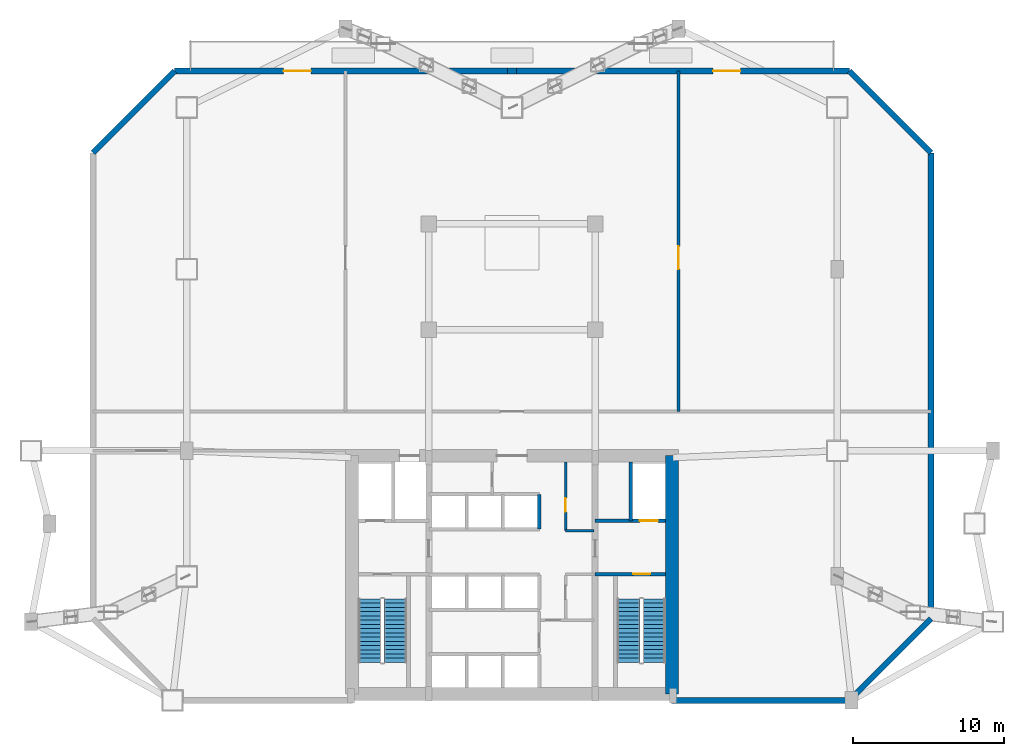
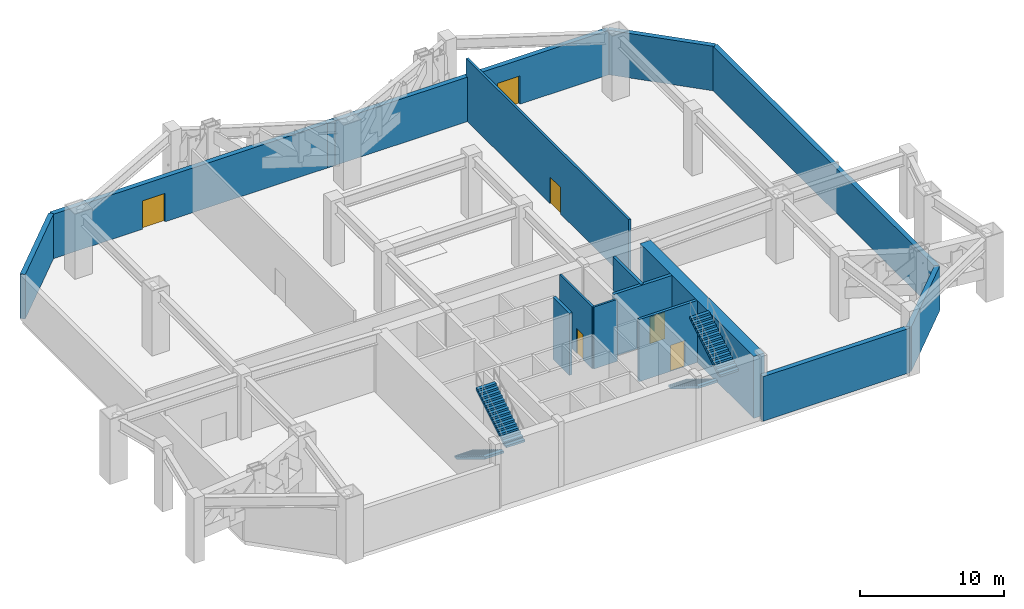
# One storey, part 7 of 9: 16 walls, 6 doors, 4 stair flights, 6 openings, 2 elements without a shape of their own.
"""IFC4 building model written with IfcOpenShell, lengths in metres."""

from ifc_helpers import new_model, si_unit, direction, frame, frame_2d, origin, place, context, subcontext, project, spatial, polyline, rectangle, outline, extrude, source, transform, mapped, material, layer, layer_set, type_object, type_shapes, element, fill, aggregate, save


model = new_model("IFC4")

# Units and contexts
model_context = context("Model", 3, precision=1e-05, world=origin(), true_north=direction((0.0, 1.0)))
body_context = subcontext(model_context, "Body", "Model", "MODEL_VIEW")
ifc_project = project(units=[si_unit("LENGTHUNIT", "METRE"), si_unit("AREAUNIT", "SQUARE_METRE"), si_unit("VOLUMEUNIT", "CUBIC_METRE"), si_unit("PLANEANGLEUNIT", "RADIAN"), si_unit("MASSUNIT", "GRAM", prefix="KILO")], contexts=[model_context])

# Site, building, storey
site_placement = place(None, origin())
site = spatial("IfcSite", under=ifc_project, at=site_placement, CompositionType="ELEMENT")
building_placement = place(site_placement, origin())
building = spatial("IfcBuilding", under=site, at=building_placement, Name="Varnakhor Terracotta Tower", CompositionType="ELEMENT")
storey_placement = place(building_placement, frame((0.0, 0.0, 22.0)))
storey = spatial("IfcBuildingStorey", under=building, at=storey_placement, Name="L04", CompositionType="ELEMENT", Elevation=22.0)

# Wall
ifc_material_1 = material(Name="Concrete C60/75", Category="concrete")
ifc_layer_1 = layer(ifc_material_1, 0.85009765625, Name="Concrete C60/75")
ifc_layer_set_1 = layer_set([ifc_layer_1], Name="Concrete C60/75")
wall_type_1 = type_object("IfcWallType", Name="WAL-CORE-850", PredefinedType="SHEAR", material=ifc_layer_set_1)
wall_1_placement = place(storey_placement, frame((10.574951171875, 0.425048828125, 0.0), z_axis=(0.0, 0.0, 1.0), x_axis=(0.0, 1.0, 0.0)))
element("IfcWall", 1, at=wall_1_placement, inside=storey, type_object=wall_type_1, Name="L04 East Core Shear Wall", PredefinedType="SHEAR", context=body_context, shape_type="SweptSolid", body=[
    extrude(rectangle(XDim=15.75, YDim=0.85009765625, at=frame_2d((7.875, 0.0))), origin(), (0.0, 0.0, 1.0), 5.25),
])

# Wall, opening, door
ifc_material_2 = material(Name="Fire-Rated Gypsum Stud Partition", Category="gypsum")
ifc_layer_2 = layer(ifc_material_2, 0.18505859375, Name="Fire-Rated Gypsum Stud Partition")
ifc_layer_set_2 = layer_set([ifc_layer_2], Name="Fire-Rated Gypsum Stud Partition")
wall_type_2 = type_object("IfcWallType", Name="WAL-CORR-185", PredefinedType="PARTITIONING", material=ifc_layer_set_2)
wall_2_placement = place(storey_placement, frame((11.0, 19.10009765625, 0.0), z_axis=(0.0, 0.0, 1.0), x_axis=(0.0, 1.0, 0.0)))
wall_2 = element("IfcWall", 2, at=wall_2_placement, inside=storey, type_object=wall_type_2, Name="L04 East Plant Division Wall", PredefinedType="PARTITIONING", context=body_context, shape_type="SweptSolid", body=[
    extrude(rectangle(XDim=22.489990234375, YDim=0.18505859375, at=frame_2d((11.2451171875, 0.0))), origin(), (0.0, 0.0, 1.0), 5.241943359375),
])
opening_1_placement = place(wall_2_placement, frame((9.404541015625, 0.0, 0.0)))
opening_1 = element("IfcOpeningElement", 3, at=opening_1_placement, cuts=wall_2, Name="Opening DR-30", PredefinedType="OPENING", context=body_context, shape_type="SweptSolid", body=[
    extrude(rectangle(XDim=1.5, YDim=2.25, at=frame_2d((0.75, 1.125))), frame((0.0, 0.1025390625, 0.0), z_axis=(0.0, -1.0, 0.0), x_axis=(1.0, 0.0, 0.0)), (0.0, 0.0, 1.0), 0.205078125),
])
ifc_material_3 = material(Name="Double Acoustic Conference Room Door", Category="wood")
door_type_1 = type_object("IfcDoorType", Name="DR-MEET-1500X2250", OperationType="NOTDEFINED", PredefinedType="DOOR", material=ifc_material_3)
shared_shape_1 = source(origin(), body_context, "Body", "SweptSolid", [
    extrude(rectangle(XDim=1.5, YDim=2.25, at=frame_2d((0.75, 1.125))), frame((0.0, 0.02490234375, 0.0), z_axis=(0.0, -1.0, 0.0), x_axis=(1.0, 0.0, 0.0)), (0.0, 0.0, 1.0), 0.050048828125),
])
type_shapes(door_type_1, [shared_shape_1])
door_1_placement = place(opening_1_placement, origin())
door_1 = element("IfcDoor", 4, at=door_1_placement, inside=storey, type_object=door_type_1, Name="L04 Switchgear Room Door", OperationType="DOUBLE_DOOR_SINGLE_SWING", OverallHeight=2.25, OverallWidth=1.5, PredefinedType="DOOR", context=body_context, shape_type="MappedRepresentation", body=[
    mapped(shared_shape_1, transform((0.0, 0.0, 0.0), scale=1.0)),
])
fill(opening_1, door_1)

# Walls
ifc_material_4 = material(Name="Honed Riyadh Limestone Assembly", Category="masonry")
ifc_layer_3 = layer(ifc_material_4, 0.3798828125, Name="Honed Riyadh Limestone Assembly")
ifc_layer_set_3 = layer_set([ifc_layer_3], Name="Honed Riyadh Limestone Assembly")
wall_type_3 = type_object("IfcWallType", Name="WAL-EXT-LIMESTONE-380", PredefinedType="SOLIDWALL", material=ifc_layer_set_3)
wall_3_placement = place(storey_placement, frame((-27.699951171875, 36.199951171875, 0.0), z_axis=(0.0, 0.0, 1.0), x_axis=(0.707090796496, 0.707122765516, 0.0)))
element("IfcWall", 5, at=wall_3_placement, inside=storey, type_object=wall_type_3, Name="L04 Podium Chamfer Limestone Wall 2", PredefinedType="SOLIDWALL", context=body_context, shape_type="SweptSolid", body=[
    extrude(rectangle(XDim=7.63671875, YDim=0.3798828125, at=frame_2d((3.818359375, 0.0))), origin(), (0.0, 0.0, 1.0), 3.77001953125),
])
wall_4_placement = place(storey_placement, frame((-0.300048828125, 41.60009765625, 0.0), z_axis=(0.0, 0.0, 1.0), x_axis=(1.0, 0.0, 0.0)))
element("IfcWall", 6, at=wall_4_placement, inside=storey, type_object=wall_type_3, Name="L04 North Central Stone Pier", PredefinedType="SOLIDWALL", context=body_context, shape_type="SweptSolid", body=[
    extrude(rectangle(XDim=0.60009765625, YDim=0.3798828125, at=frame_2d((0.300048828125, 0.0))), origin(), (0.0, 0.0, 1.0), 3.77001953125),
])

# Wall, opening, door
wall_5_placement = place(storey_placement, frame((-22.300048828125, 41.60009765625, 0.0), z_axis=(0.0, 0.0, 1.0), x_axis=(1.0, 0.0, 0.0)))
wall_5 = element("IfcWall", 7, at=wall_5_placement, inside=storey, type_object=wall_type_3, Name="L04 North Podium Wall NW", PredefinedType="SOLIDWALL", context=body_context, shape_type="SweptSolid", body=[
    extrude(rectangle(XDim=22.0, YDim=0.3798828125, at=frame_2d((11.0, 0.0))), origin(), (0.0, 0.0, 1.0), 3.77001953125),
])
opening_2_placement = place(wall_5_placement, frame((7.199951171875, 0.0, 0.0)))
opening_2 = element("IfcOpeningElement", 8, at=opening_2_placement, cuts=wall_5, Name="Opening DR-18", PredefinedType="OPENING", context=body_context, shape_type="SweptSolid", body=[
    extrude(rectangle(XDim=1.800048828125, YDim=2.39990234375, at=frame_2d((0.89990234375, 1.199951171875))), frame((0.0, 0.199951171875, 0.0), z_axis=(0.0, -1.0, 0.0), x_axis=(1.0, 0.0, 0.0)), (0.0, 0.0, 1.0), 0.39990234375),
])
ifc_material_5 = material(Name="Weather-Sealed Low-E Double Terrace Door", Category="aluminium")
door_type_2 = type_object("IfcDoorType", Name="DR-EXT-TERR-1800X2400", OperationType="NOTDEFINED", PredefinedType="DOOR", material=ifc_material_5)
shared_shape_2 = source(origin(), body_context, "Body", "SweptSolid", [
    extrude(rectangle(XDim=1.800048828125, YDim=2.39990234375, at=frame_2d((0.89990234375, 1.199951171875))), frame((0.0, 0.02490234375, 0.0), z_axis=(0.0, -1.0, 0.0), x_axis=(1.0, 0.0, 0.0)), (0.0, 0.0, 1.0), 0.050048828125),
])
type_shapes(door_type_2, [shared_shape_2])
door_2_placement = place(opening_2_placement, origin())
door_2 = element("IfcDoor", 9, at=door_2_placement, inside=storey, type_object=door_type_2, Name="L04 Garden Terrace Access Door NW", OperationType="DOUBLE_DOOR_SINGLE_SWING", OverallHeight=2.39990234375, OverallWidth=1.800048828125, PredefinedType="DOOR", context=body_context, shape_type="MappedRepresentation", body=[
    mapped(shared_shape_2, transform((0.0, 0.0, 0.0), scale=1.0)),
])
fill(opening_2, door_2)

wall_6_placement = place(storey_placement, frame((0.300048828125, 41.60009765625, 0.0), z_axis=(0.0, 0.0, 1.0), x_axis=(1.0, 0.0, 0.0)))
wall_6 = element("IfcWall", 10, at=wall_6_placement, inside=storey, type_object=wall_type_3, Name="L04 North Podium Wall NE", PredefinedType="SOLIDWALL", context=body_context, shape_type="SweptSolid", body=[
    extrude(rectangle(XDim=22.0, YDim=0.3798828125, at=frame_2d((11.0, 0.0))), origin(), (0.0, 0.0, 1.0), 3.77001953125),
])
opening_3_placement = place(wall_6_placement, frame((13.0, 0.0, 0.0)))
opening_3 = element("IfcOpeningElement", 11, at=opening_3_placement, cuts=wall_6, Name="Opening DR-18", PredefinedType="OPENING", context=body_context, shape_type="SweptSolid", body=[
    extrude(rectangle(XDim=1.800048828125, YDim=2.39990234375, at=frame_2d((0.89990234375, 1.199951171875))), frame((0.0, 0.199951171875, 0.0), z_axis=(0.0, -1.0, 0.0), x_axis=(1.0, 0.0, 0.0)), (0.0, 0.0, 1.0), 0.39990234375),
])
door_3_placement = place(opening_3_placement, origin())
door_3 = element("IfcDoor", 12, at=door_3_placement, inside=storey, type_object=door_type_2, Name="L04 Garden Terrace Access Door NE", OperationType="DOUBLE_DOOR_SINGLE_SWING", OverallHeight=2.39990234375, OverallWidth=1.800048828125, PredefinedType="DOOR", context=body_context, shape_type="MappedRepresentation", body=[
    mapped(shared_shape_2, transform((0.0, 0.0, 0.0), scale=1.0)),
])
fill(opening_3, door_3)

# Walls
wall_7_placement = place(storey_placement, frame((22.300048828125, 41.60009765625, 0.0), z_axis=(0.0, 0.0, 1.0), x_axis=(0.707090796496, -0.707122765516, 0.0)))
element("IfcWall", 13, at=wall_7_placement, inside=storey, type_object=wall_type_3, Name="L04 Podium Chamfer Limestone Wall 4", PredefinedType="SOLIDWALL", context=body_context, shape_type="SweptSolid", body=[
    extrude(rectangle(XDim=7.63671875, YDim=0.3798828125, at=frame_2d((3.818359375, 0.0))), origin(), (0.0, 0.0, 1.0), 3.77001953125),
])
wall_8_placement = place(storey_placement, frame((27.699951171875, 36.199951171875, 0.0), z_axis=(0.0, 0.0, 1.0), x_axis=(0.0, -1.0, 0.0)))
element("IfcWall", 14, at=wall_8_placement, inside=storey, type_object=wall_type_3, Name="L04 Podium Side Limestone Wall 5", PredefinedType="SOLIDWALL", context=body_context, shape_type="SweptSolid", body=[
    extrude(rectangle(XDim=30.800048828125, YDim=0.3798828125, at=frame_2d((15.39990234375, 0.0))), origin(), (0.0, 0.0, 1.0), 3.77001953125),
])
wall_9_placement = place(storey_placement, frame((27.699951171875, 5.39990234375, 0.0), z_axis=(0.0, 0.0, 1.0), x_axis=(-0.707106781187, -0.707106781187, 0.0)))
element("IfcWall", 15, at=wall_9_placement, inside=storey, type_object=wall_type_3, Name="L04 Podium Chamfer Limestone Wall 6", PredefinedType="SOLIDWALL", context=body_context, shape_type="SweptSolid", body=[
    extrude(rectangle(XDim=7.63671875, YDim=0.3798828125, at=frame_2d((3.818359375, 0.0))), origin(), (0.0, 0.0, 1.0), 3.77001953125),
])
wall_10_placement = place(storey_placement, frame((22.300048828125, 0.0, 0.0), z_axis=(0.0, 0.0, 1.0), x_axis=(-1.0, 0.0, 0.0)))
element("IfcWall", 16, at=wall_10_placement, inside=storey, type_object=wall_type_3, Name="L04 Limestone Podium Wall SE", PredefinedType="SOLIDWALL", context=body_context, shape_type="SweptSolid", body=[
    extrude(rectangle(XDim=11.75, YDim=0.3798828125, at=frame_2d((5.875, 0.0))), origin(), (0.0, 0.0, 1.0), 3.77001953125),
])

# Wall, opening, door
ifc_material_6 = material(Name="Concrete C40/50", Category="concrete")
ifc_layer_4 = layer(ifc_material_6, 0.219970703125, Name="Concrete C40/50")
ifc_layer_set_4 = layer_set([ifc_layer_4], Name="Concrete C40/50")
wall_type_4 = type_object("IfcWallType", Name="WAL-FFLOBBY-220", PredefinedType="SOLIDWALL", material=ifc_layer_set_4)
wall_11_placement = place(storey_placement, frame((10.14990234375, 8.35009765625, 0.0), z_axis=(0.0, 0.0, 1.0), x_axis=(-1.0, 0.0, 0.0)))
wall_11 = element("IfcWall", 17, at=wall_11_placement, inside=storey, type_object=wall_type_4, Name="L04 East Firefighting Lobby Stair Wall", PredefinedType="SOLIDWALL", context=body_context, shape_type="SweptSolid", body=[
    extrude(rectangle(XDim=4.64990234375, YDim=0.219970703125, at=frame_2d((2.324951171875, 0.0))), origin(), (0.0, 0.0, 1.0), 5.25),
])
opening_4_placement = place(wall_11_placement, frame((1.0, 0.0, 0.0)))
opening_4 = element("IfcOpeningElement", 18, at=opening_4_placement, cuts=wall_11, Name="Opening DR-34", PredefinedType="OPENING", context=body_context, shape_type="SweptSolid", body=[
    extrude(rectangle(XDim=1.14990234375, YDim=2.199951171875, at=frame_2d((0.574951171875, 1.10009765625))), frame((0.0, 0.1201171875, 0.0), z_axis=(0.0, -1.0, 0.0), x_axis=(1.0, 0.0, 0.0)), (0.0, 0.0, 1.0), 0.239990234375),
])
ifc_material_7 = material(Name="Self-Closing Smoke-Sealed Steel Fire Door", Category="steel")
door_type_3 = type_object("IfcDoorType", Name="DR-STAIR-1150X2200", OperationType="NOTDEFINED", PredefinedType="DOOR", material=ifc_material_7)
shared_shape_3 = source(origin(), body_context, "Body", "SweptSolid", [
    extrude(rectangle(XDim=1.14990234375, YDim=2.199951171875, at=frame_2d((0.574951171875, 1.10009765625))), frame((0.0, 0.02490234375, 0.0), z_axis=(0.0, -1.0, 0.0), x_axis=(1.0, 0.0, 0.0)), (0.0, 0.0, 1.0), 0.050048828125),
])
type_shapes(door_type_3, [shared_shape_3])
door_4_placement = place(opening_4_placement, origin())
door_4 = element("IfcDoor", 19, at=door_4_placement, inside=storey, type_object=door_type_3, Name="L04 Exit Stair ST-2 Fire Door", OperationType="SINGLE_SWING_LEFT", OverallHeight=2.199951171875, OverallWidth=1.14990234375, PredefinedType="DOOR", context=body_context, shape_type="MappedRepresentation", body=[
    mapped(shared_shape_3, transform((0.0, 0.0, 0.0), scale=1.0)),
])
fill(opening_4, door_4)

# Walls
ifc_layer_5 = layer(ifc_material_6, 0.219970703125, Name="Concrete C40/50")
ifc_layer_set_5 = layer_set([ifc_layer_5], Name="Concrete C40/50")
wall_type_5 = type_object("IfcWallType", Name="WAL-SHAFT-220", PredefinedType="SOLIDWALL", material=ifc_layer_set_5)
wall_12_placement = place(storey_placement, frame((7.840087890625, 11.8701171875, 0.0), z_axis=(0.0, 0.0, 1.0), x_axis=(0.0, 1.0, 0.0)))
element("IfcWall", 20, at=wall_12_placement, inside=storey, type_object=wall_type_5, Name="L04 Lift FFL-2 and Riser Divider Wall", PredefinedType="SOLIDWALL", context=body_context, shape_type="SweptSolid", body=[
    extrude(rectangle(XDim=3.8798828125, YDim=0.219970703125, at=frame_2d((1.93994140625, 0.0))), origin(), (0.0, 0.0, 1.0), 5.25),
])
wall_13_placement = place(storey_placement, frame((1.800048828125, 11.320068359375, 0.0), z_axis=(0.0, 0.0, 1.0), x_axis=(0.0, 1.0, 0.0)))
element("IfcWall", 21, at=wall_13_placement, inside=storey, type_object=wall_type_5, Name="L04 Bank 3 East Shaft Wall", PredefinedType="SOLIDWALL", context=body_context, shape_type="SweptSolid", body=[
    extrude(rectangle(XDim=2.300048828125, YDim=0.219970703125, at=frame_2d((1.14990234375, 0.0))), origin(), (0.0, 0.0, 1.0), 5.25),
])

# Wall, opening, door
ifc_layer_6 = layer(ifc_material_6, 0.25, Name="Concrete C40/50")
ifc_layer_set_6 = layer_set([ifc_layer_6], Name="Concrete C40/50")
wall_type_6 = type_object("IfcWallType", Name="WAL-SHAFT-250", PredefinedType="SOLIDWALL", material=ifc_layer_set_6)
wall_14_placement = place(storey_placement, frame((10.14990234375, 11.8701171875, 0.0), z_axis=(0.0, 0.0, 1.0), x_axis=(-1.0, 0.0, 0.0)))
wall_14 = element("IfcWall", 22, at=wall_14_placement, inside=storey, type_object=wall_type_6, Name="L04 Lift FFL-2 Shaft Front Wall", PredefinedType="SOLIDWALL", context=body_context, shape_type="SweptSolid", body=[
    extrude(rectangle(XDim=4.64990234375, YDim=0.25, at=frame_2d((2.324951171875, 0.0))), origin(), (0.0, 0.0, 1.0), 5.25),
])
opening_5_placement = place(wall_14_placement, frame((0.5, 0.0, 0.0)))
opening_5 = element("IfcOpeningElement", 23, at=opening_5_placement, cuts=wall_14, Name="Opening LD-02", PredefinedType="OPENING", context=body_context, shape_type="SweptSolid", body=[
    extrude(rectangle(XDim=1.199951171875, YDim=2.25, at=frame_2d((0.60009765625, 1.125))), frame((0.0, 0.135009765625, 0.0), z_axis=(0.0, -1.0, 0.0), x_axis=(1.0, 0.0, 0.0)), (0.0, 0.0, 1.0), 0.27001953125),
])
ifc_material_8 = material(Name="Firefighting Stretcher Sliding Lift Landing Door", Category="steel")
door_type_4 = type_object("IfcDoorType", Name="LD-FFL-1200X2250", OperationType="NOTDEFINED", PredefinedType="DOOR", material=ifc_material_8)
shared_shape_4 = source(origin(), body_context, "Body", "SweptSolid", [
    extrude(rectangle(XDim=1.199951171875, YDim=2.25, at=frame_2d((0.60009765625, 1.125))), frame((0.0, 0.02490234375, 0.0), z_axis=(0.0, -1.0, 0.0), x_axis=(1.0, 0.0, 0.0)), (0.0, 0.0, 1.0), 0.050048828125),
])
type_shapes(door_type_4, [shared_shape_4])
door_5_placement = place(opening_5_placement, origin())
door_5 = element("IfcDoor", 24, at=door_5_placement, inside=storey, type_object=door_type_4, Name="L04 Firefighting Lift FFL-2 Landing Door", OperationType="SLIDING_TO_RIGHT", OverallHeight=2.25, OverallWidth=1.199951171875, PredefinedType="DOOR", context=body_context, shape_type="MappedRepresentation", body=[
    mapped(shared_shape_4, transform((0.0, 0.0, 0.0), scale=1.0)),
])
fill(opening_5, door_5)

ifc_material_9 = material(Name="Acoustic Fire-Rated Partition", Category="gypsum")
ifc_layer_7 = layer(ifc_material_9, 0.1650390625, Name="Acoustic Fire-Rated Partition")
ifc_layer_set_7 = layer_set([ifc_layer_7], Name="Acoustic Fire-Rated Partition")
wall_type_7 = type_object("IfcWallType", Name="WAL-TENANCY-165", PredefinedType="PARTITIONING", material=ifc_layer_set_7)
wall_15_placement = place(storey_placement, frame((3.5400390625, 11.219970703125, 0.0), z_axis=(0.0, 0.0, 1.0), x_axis=(0.0, 1.0, 0.0)))
wall_15 = element("IfcWall", 25, at=wall_15_placement, inside=storey, type_object=wall_type_7, Name="L04 Restroom Corridor Wall", PredefinedType="PARTITIONING", context=body_context, shape_type="SweptSolid", body=[
    extrude(rectangle(XDim=4.530029296875, YDim=0.1650390625, at=frame_2d((2.26513671875, 0.0))), origin(), (0.0, 0.0, 1.0), 5.241943359375),
])
opening_6_placement = place(wall_15_placement, frame((1.25, 0.0, 0.0)))
opening_6 = element("IfcOpeningElement", 26, at=opening_6_placement, cuts=wall_15, Name="Opening DR-67", PredefinedType="OPENING", context=body_context, shape_type="SweptSolid", body=[
    extrude(rectangle(XDim=0.89990234375, YDim=2.10009765625, at=frame_2d((0.449951171875, 1.050048828125))), frame((0.0, 0.092529296875, 0.0), z_axis=(0.0, -1.0, 0.0), x_axis=(1.0, 0.0, 0.0)), (0.0, 0.0, 1.0), 0.18505859375),
])
ifc_material_10 = material(Name="Steel Service Riser Fire Door", Category="steel")
door_type_5 = type_object("IfcDoorType", Name="DR-RISER-900X2100", OperationType="NOTDEFINED", PredefinedType="DOOR", material=ifc_material_10)
shared_shape_5 = source(origin(), body_context, "Body", "SweptSolid", [
    extrude(rectangle(XDim=0.89990234375, YDim=2.10009765625, at=frame_2d((0.449951171875, 1.050048828125))), frame((0.0, 0.02490234375, 0.0), z_axis=(0.0, -1.0, 0.0), x_axis=(1.0, 0.0, 0.0)), (0.0, 0.0, 1.0), 0.050048828125),
])
type_shapes(door_type_5, [shared_shape_5])
door_6_placement = place(opening_6_placement, origin())
door_6 = element("IfcDoor", 27, at=door_6_placement, inside=storey, type_object=door_type_5, Name="L04 Female WC Door", OperationType="SINGLE_SWING_LEFT", OverallHeight=2.10009765625, OverallWidth=0.89990234375, PredefinedType="DOOR", context=body_context, shape_type="MappedRepresentation", body=[
    mapped(shared_shape_5, transform((0.0, 0.0, 0.0), scale=1.0)),
])
fill(opening_6, door_6)

# Wall
wall_16_placement = place(storey_placement, frame((3.5400390625, 11.219970703125, 0.0), z_axis=(0.0, 0.0, 1.0), x_axis=(1.0, 0.0, 0.0)))
element("IfcWall", 28, at=wall_16_placement, inside=storey, type_object=wall_type_7, Name="L04 Restroom South Wall", PredefinedType="PARTITIONING", context=body_context, shape_type="SweptSolid", body=[
    extrude(rectangle(XDim=1.8798828125, YDim=0.1650390625, at=frame_2d((0.93994140625, 0.0))), origin(), (0.0, 0.0, 1.0), 5.241943359375),
])

# Stair, stair flights
stair_type = type_object("IfcStairType", Name="STR-CORE-OFFICE-1500", PredefinedType="HALF_TURN_STAIR", material=ifc_material_6)
stair_1_placement = place(storey_placement, origin())
stair_1 = element("IfcStair", 29, at=stair_1_placement, inside=storey, type_object=stair_type, Name="L04 Core Exit Stair ST-1", PredefinedType="HALF_TURN_STAIR")
stair_flight_type = type_object("IfcStairFlightType", Name="FLT-CORE-1500", PredefinedType="STRAIGHT", material=ifc_material_6)
stair_flight_1_placement = place(storey_placement, frame((-9.39990234375, 6.7099609375, 0.0), z_axis=(0.0, 0.0, 1.0), x_axis=(0.0, -1.0, 0.0)))
stair_flight_1 = element("IfcStairFlight", 30, at=stair_flight_1_placement, type_object=stair_flight_type, Name="ST-1 flight 1", NumberOfRisers=16, NumberOfTreads=15, PredefinedType="STRAIGHT", RiserHeight=0.171875, TreadLength=0.28, context=body_context, shape_type="SweptSolid", body=[
    extrude(outline(polyline([(0.0, 0.0), (0.0, 0.171875), (0.280029296875, 0.171875), (0.280029296875, 0.34375), (0.56005859375, 0.34375), (0.56005859375, 0.515625), (0.840087890625, 0.515625), (0.840087890625, 0.6875), (1.1201171875, 0.6875), (1.1201171875, 0.859375), (1.39990234375, 0.859375), (1.39990234375, 1.03125), (1.679931640625, 1.03125), (1.679931640625, 1.203125), (1.9599609375, 1.203125), (1.9599609375, 1.375), (2.239990234375, 1.375), (2.239990234375, 1.546875), (2.52001953125, 1.546875), (2.52001953125, 1.71875), (2.800048828125, 1.71875), (2.800048828125, 1.890625), (3.080078125, 1.890625), (3.080078125, 2.0625), (3.360107421875, 2.0625), (3.360107421875, 2.234375), (3.639892578125, 2.234375), (3.639892578125, 2.40625), (3.919921875, 2.40625), (3.919921875, 2.578125), (4.199951171875, 2.578125), (4.199951171875, 2.75), (4.199951171875, 2.390380859375), (0.3056640625, 0.0), (0.0, 0.0)])), frame((0.0, 0.75, 0.0), z_axis=(0.0, -1.0, 0.0), x_axis=(1.0, 0.0, 0.0)), (0.0, 0.0, 1.0), 1.5),
])
stair_flight_2_placement = place(storey_placement, frame((-7.699951171875, 2.510009765625, 2.75), z_axis=(0.0, 0.0, 1.0), x_axis=(0.0, 1.0, 0.0)))
stair_flight_2 = element("IfcStairFlight", 31, at=stair_flight_2_placement, type_object=stair_flight_type, Name="ST-1 flight 2", NumberOfRisers=16, NumberOfTreads=15, PredefinedType="STRAIGHT", RiserHeight=0.171875, TreadLength=0.28, context=body_context, shape_type="SweptSolid", body=[
    extrude(outline(polyline([(0.0, 0.0), (0.0, 0.171875), (0.280029296875, 0.171875), (0.280029296875, 0.34375), (0.56005859375, 0.34375), (0.56005859375, 0.515625), (0.840087890625, 0.515625), (0.840087890625, 0.6875), (1.1201171875, 0.6875), (1.1201171875, 0.859375), (1.39990234375, 0.859375), (1.39990234375, 1.03125), (1.679931640625, 1.03125), (1.679931640625, 1.203125), (1.9599609375, 1.203125), (1.9599609375, 1.375), (2.239990234375, 1.375), (2.239990234375, 1.546875), (2.52001953125, 1.546875), (2.52001953125, 1.71875), (2.800048828125, 1.71875), (2.800048828125, 1.890625), (3.080078125, 1.890625), (3.080078125, 2.0625), (3.360107421875, 2.0625), (3.360107421875, 2.234375), (3.639892578125, 2.234375), (3.639892578125, 2.40625), (3.919921875, 2.40625), (3.919921875, 2.578125), (4.199951171875, 2.578125), (4.199951171875, 2.75), (4.199951171875, 2.390380859375), (0.3056640625, 0.0), (0.0, 0.0)])), frame((0.0, 0.75, 0.0), z_axis=(0.0, -1.0, 0.0), x_axis=(1.0, 0.0, 0.0)), (0.0, 0.0, 1.0), 1.5),
])
aggregate(stair_1, [stair_flight_1, stair_flight_2])

stair_2_placement = place(storey_placement, origin())
stair_2 = element("IfcStair", 32, at=stair_2_placement, inside=storey, type_object=stair_type, Name="L04 Core Exit Stair ST-2", PredefinedType="HALF_TURN_STAIR")
stair_flight_3_placement = place(storey_placement, frame((7.699951171875, 6.7099609375, 0.0), z_axis=(0.0, 0.0, 1.0), x_axis=(0.0, -1.0, 0.0)))
stair_flight_3 = element("IfcStairFlight", 33, at=stair_flight_3_placement, type_object=stair_flight_type, Name="ST-2 flight 1", NumberOfRisers=16, NumberOfTreads=15, PredefinedType="STRAIGHT", RiserHeight=0.171875, TreadLength=0.28, context=body_context, shape_type="SweptSolid", body=[
    extrude(outline(polyline([(0.0, 0.0), (0.0, 0.171875), (0.280029296875, 0.171875), (0.280029296875, 0.34375), (0.56005859375, 0.34375), (0.56005859375, 0.515625), (0.840087890625, 0.515625), (0.840087890625, 0.6875), (1.1201171875, 0.6875), (1.1201171875, 0.859375), (1.39990234375, 0.859375), (1.39990234375, 1.03125), (1.679931640625, 1.03125), (1.679931640625, 1.203125), (1.9599609375, 1.203125), (1.9599609375, 1.375), (2.239990234375, 1.375), (2.239990234375, 1.546875), (2.52001953125, 1.546875), (2.52001953125, 1.71875), (2.800048828125, 1.71875), (2.800048828125, 1.890625), (3.080078125, 1.890625), (3.080078125, 2.0625), (3.360107421875, 2.0625), (3.360107421875, 2.234375), (3.639892578125, 2.234375), (3.639892578125, 2.40625), (3.919921875, 2.40625), (3.919921875, 2.578125), (4.199951171875, 2.578125), (4.199951171875, 2.75), (4.199951171875, 2.390380859375), (0.3056640625, 0.0), (0.0, 0.0)])), frame((0.0, 0.75, 0.0), z_axis=(0.0, -1.0, 0.0), x_axis=(1.0, 0.0, 0.0)), (0.0, 0.0, 1.0), 1.5),
])
stair_flight_4_placement = place(storey_placement, frame((9.39990234375, 2.510009765625, 2.75), z_axis=(0.0, 0.0, 1.0), x_axis=(0.0, 1.0, 0.0)))
stair_flight_4 = element("IfcStairFlight", 34, at=stair_flight_4_placement, type_object=stair_flight_type, Name="ST-2 flight 2", NumberOfRisers=16, NumberOfTreads=15, PredefinedType="STRAIGHT", RiserHeight=0.171875, TreadLength=0.28, context=body_context, shape_type="SweptSolid", body=[
    extrude(outline(polyline([(0.0, 0.0), (0.0, 0.171875), (0.280029296875, 0.171875), (0.280029296875, 0.34375), (0.56005859375, 0.34375), (0.56005859375, 0.515625), (0.840087890625, 0.515625), (0.840087890625, 0.6875), (1.1201171875, 0.6875), (1.1201171875, 0.859375), (1.39990234375, 0.859375), (1.39990234375, 1.03125), (1.679931640625, 1.03125), (1.679931640625, 1.203125), (1.9599609375, 1.203125), (1.9599609375, 1.375), (2.239990234375, 1.375), (2.239990234375, 1.546875), (2.52001953125, 1.546875), (2.52001953125, 1.71875), (2.800048828125, 1.71875), (2.800048828125, 1.890625), (3.080078125, 1.890625), (3.080078125, 2.0625), (3.360107421875, 2.0625), (3.360107421875, 2.234375), (3.639892578125, 2.234375), (3.639892578125, 2.40625), (3.919921875, 2.40625), (3.919921875, 2.578125), (4.199951171875, 2.578125), (4.199951171875, 2.75), (4.199951171875, 2.390380859375), (0.3056640625, 0.0), (0.0, 0.0)])), frame((0.0, 0.75, 0.0), z_axis=(0.0, -1.0, 0.0), x_axis=(1.0, 0.0, 0.0)), (0.0, 0.0, 1.0), 1.5),
])
aggregate(stair_2, [stair_flight_3, stair_flight_4])

save(model, "model.ifc")
